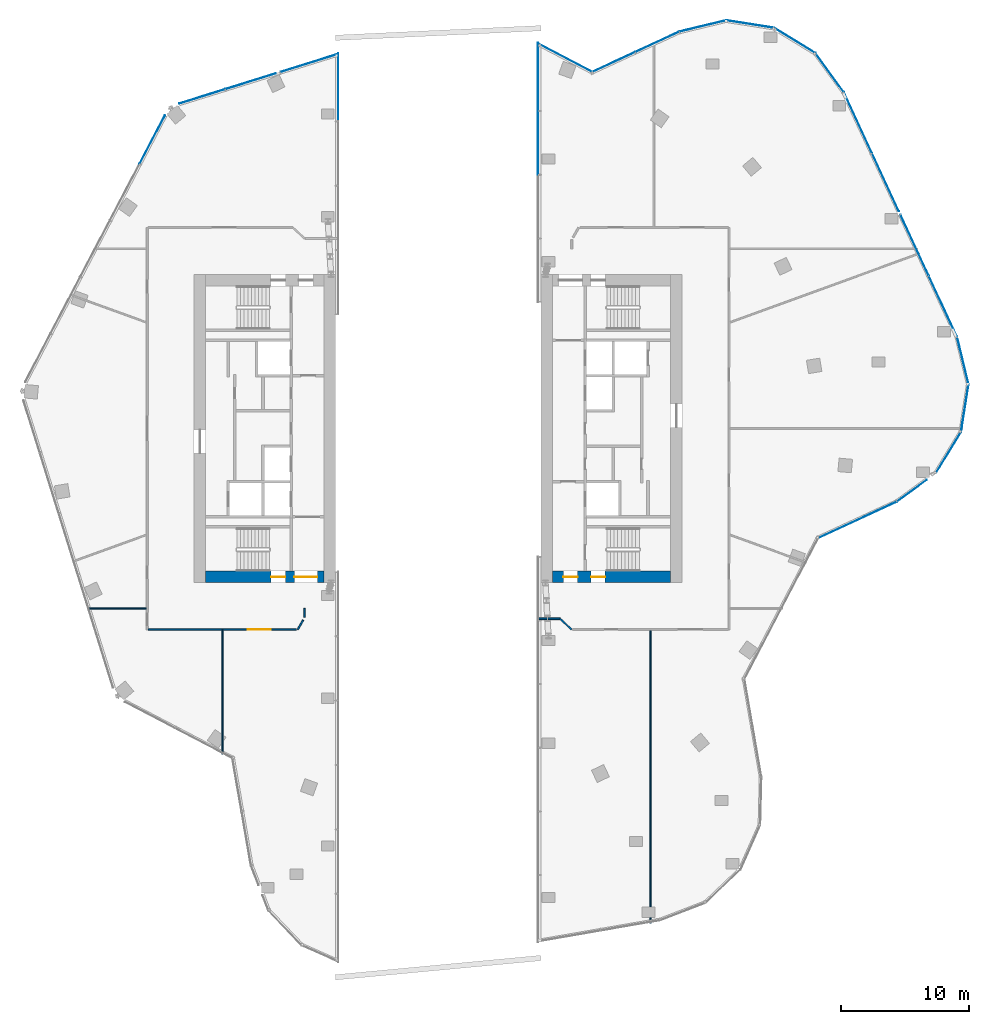
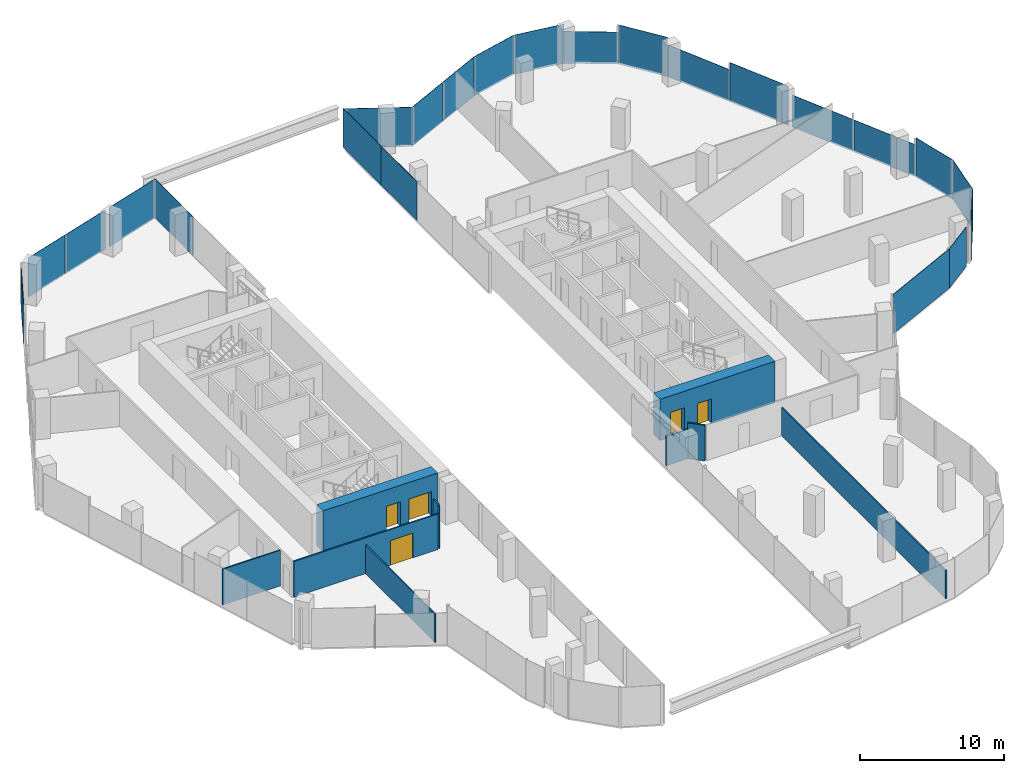
# One storey, part 19 of 24: 23 plates, 10 walls, 5 doors, 5 openings, 16 elements without a shape of their own.
"""IFC4 building model written with IfcOpenShell, lengths in metres."""

from ifc_helpers import new_model, si_unit, direction, frame, frame_2d, origin, origin_2d, place, context, subcontext, project, spatial, rectangle, extrude, material, layer, layer_set, type_object, element, fill, aggregate, save


model = new_model("IFC4")

# Units and contexts
model_context = context("Model", 3, precision=1e-05, world=origin(), true_north=direction((0.0, 1.0)))
body_context = subcontext(model_context, "Body", "Model", "MODEL_VIEW")
ifc_project = project(units=[si_unit("LENGTHUNIT", "METRE"), si_unit("AREAUNIT", "SQUARE_METRE"), si_unit("VOLUMEUNIT", "CUBIC_METRE"), si_unit("PLANEANGLEUNIT", "RADIAN"), si_unit("MASSUNIT", "GRAM", prefix="KILO")], contexts=[model_context])

# Site, building, storey
site_placement = place(None, origin())
site = spatial("IfcSite", under=ifc_project, at=site_placement, CompositionType="ELEMENT")
building_placement = place(site_placement, origin())
building = spatial("IfcBuilding", under=site, at=building_placement, Name="Orlundy Tower", CompositionType="ELEMENT")
storey_placement = place(building_placement, frame((0.0, 0.0, 267.5)))
storey = spatial("IfcBuildingStorey", under=building, at=storey_placement, Name="L71", CompositionType="ELEMENT", Elevation=267.5)

# Curtain wall, plate
ifc_material_1 = material(Name="Aluminium bronze anodised", Category="aluminium")
curtain_wall_type = type_object("IfcCurtainWallType", Name="CW1 wall", PredefinedType="NOTDEFINED", material=ifc_material_1)
curtain_wall_1_placement = place(storey_placement, origin())
curtain_wall_1 = element("IfcCurtainWall", 1, at=curtain_wall_1_placement, inside=storey, type_object=curtain_wall_type, Name="CW1 run 02", PredefinedType="NOTDEFINED")
ifc_material_2 = material(Name="Tinted glass", Category="glass")
ifc_layer_1 = layer(ifc_material_2, 0.031982421875)
ifc_layer_set_1 = layer_set([ifc_layer_1], Name="CW1 glass panel 32")
plate_type_1 = type_object("IfcPlateType", Name="CW1 glass panel 32", PredefinedType="CURTAIN_PANEL", material=ifc_layer_set_1)
plate_1_placement = place(storey_placement, frame((-22.259765625, 22.50390625, -0.280029296875), z_axis=(0.0, 0.0, 1.0), x_axis=(0.464336233904, 0.885658998646, 0.0)))
plate_1 = element("IfcPlate", 2, at=plate_1_placement, type_object=plate_type_1, Name="CW1 panel", PredefinedType="CURTAIN_PANEL", context=body_context, shape_type="SweptSolid", body=[
    extrude(rectangle(XDim=4.229248046875, YDim=0.031982421875, at=origin_2d()), origin(), (0.0, 0.0, 1.0), 3.330078125),
])
aggregate(curtain_wall_1, [plate_1])

# Curtain wall, plates
curtain_wall_2_placement = place(storey_placement, origin())
curtain_wall_2 = element("IfcCurtainWall", 3, at=curtain_wall_2_placement, inside=storey, type_object=curtain_wall_type, Name="CW1 run 03", PredefinedType="NOTDEFINED")
plate_2_placement = place(storey_placement, frame((-18.385009765625, 25.860595703125, -0.280029296875), z_axis=(0.0, 0.0, 1.0), x_axis=(0.954586077066, 0.297935263894, 0.0)))
plate_2 = element("IfcPlate", 4, at=plate_2_placement, type_object=plate_type_1, Name="CW1 panel", PredefinedType="CURTAIN_PANEL", context=body_context, shape_type="SweptSolid", body=[
    extrude(rectangle(XDim=3.727294921875, YDim=0.031982421875, at=origin_2d()), origin(), (0.0, 0.0, 1.0), 3.330078125),
])
plate_3_placement = place(storey_placement, frame((-14.598388671875, 27.042236328125, -0.280029296875), z_axis=(0.0, 0.0, 1.0), x_axis=(0.954586077066, 0.297935263894, 0.0)))
plate_3 = element("IfcPlate", 5, at=plate_3_placement, type_object=plate_type_1, Name="CW1 panel", PredefinedType="CURTAIN_PANEL", context=body_context, shape_type="SweptSolid", body=[
    extrude(rectangle(XDim=4.106201171875, YDim=0.031982421875, at=origin_2d()), origin(), (0.0, 0.0, 1.0), 3.330078125),
])

curtain_wall_3_placement = place(storey_placement, origin())
curtain_wall_3 = element("IfcCurtainWall", 6, at=curtain_wall_3_placement, inside=storey, type_object=curtain_wall_type, Name="CW1 run 10", PredefinedType="NOTDEFINED")
plate_4_placement = place(storey_placement, frame((13.65625, 28.538330078125, -0.280029296875), z_axis=(0.0, 0.0, 1.0), x_axis=(0.907535327513, 0.419975748486, 0.0)))
plate_4 = element("IfcPlate", 7, at=plate_4_placement, type_object=plate_type_1, Name="CW1 panel", PredefinedType="CURTAIN_PANEL", context=body_context, shape_type="SweptSolid", body=[
    extrude(rectangle(XDim=3.659912109375, YDim=0.031982421875, at=origin_2d()), origin(), (0.0, 0.0, 1.0), 3.330078125),
])
plate_5_placement = place(storey_placement, frame((17.0556640625, 30.111328125, -0.280029296875), z_axis=(0.0, 0.0, 1.0), x_axis=(0.907535327513, 0.419975748486, 0.0)))
plate_5 = element("IfcPlate", 8, at=plate_5_placement, type_object=plate_type_1, Name="CW1 panel", PredefinedType="CURTAIN_PANEL", context=body_context, shape_type="SweptSolid", body=[
    extrude(rectangle(XDim=3.731689453125, YDim=0.031982421875, at=origin_2d()), origin(), (0.0, 0.0, 1.0), 3.330078125),
])
aggregate(curtain_wall_3, [plate_4, plate_5])

# Curtain wall, plate
curtain_wall_4_placement = place(storey_placement, origin())
curtain_wall_4 = element("IfcCurtainWall", 9, at=curtain_wall_4_placement, inside=storey, type_object=curtain_wall_type, Name="CW1 run 11", PredefinedType="NOTDEFINED")
plate_6_placement = place(storey_placement, frame((20.609130859375, 31.349853515625, -0.280029296875), z_axis=(0.0, 0.0, 1.0), x_axis=(0.972001521614, 0.234974556025, 0.0)))
plate_6 = element("IfcPlate", 10, at=plate_6_placement, type_object=plate_type_1, Name="CW1 panel", PredefinedType="CURTAIN_PANEL", context=body_context, shape_type="SweptSolid", body=[
    extrude(rectangle(XDim=3.73046875, YDim=0.031982421875, at=origin_2d()), origin(), (0.0, 0.0, 1.0), 3.330078125),
])
aggregate(curtain_wall_4, [plate_6])

curtain_wall_5_placement = place(storey_placement, origin())
curtain_wall_5 = element("IfcCurtainWall", 11, at=curtain_wall_5_placement, inside=storey, type_object=curtain_wall_type, Name="CW1 run 12", PredefinedType="NOTDEFINED")
plate_7_placement = place(storey_placement, frame((24.285400390625, 31.49560546875, -0.280029296875), z_axis=(0.0, 0.0, 1.0), x_axis=(0.987896030416, -0.15511748157, 0.0)))
plate_7 = element("IfcPlate", 12, at=plate_7_placement, type_object=plate_type_1, Name="CW1 panel", PredefinedType="CURTAIN_PANEL", context=body_context, shape_type="SweptSolid", body=[
    extrude(rectangle(XDim=3.772216796875, YDim=0.031982421875, at=origin_2d()), origin(), (0.0, 0.0, 1.0), 3.330078125),
])
aggregate(curtain_wall_5, [plate_7])

curtain_wall_6_placement = place(storey_placement, origin())
curtain_wall_6 = element("IfcCurtainWall", 13, at=curtain_wall_6_placement, inside=storey, type_object=curtain_wall_type, Name="CW1 run 13", PredefinedType="NOTDEFINED")
plate_8_placement = place(storey_placement, frame((27.758544921875, 30.219970703125, -0.280029296875), z_axis=(0.0, 0.0, 1.0), x_axis=(0.853468477843, -0.521144468768, 0.0)))
plate_8 = element("IfcPlate", 14, at=plate_8_placement, type_object=plate_type_1, Name="CW1 panel", PredefinedType="CURTAIN_PANEL", context=body_context, shape_type="SweptSolid", body=[
    extrude(rectangle(XDim=3.7724609375, YDim=0.031982421875, at=origin_2d()), origin(), (0.0, 0.0, 1.0), 2.7138671875),
])
aggregate(curtain_wall_6, [plate_8])

curtain_wall_7_placement = place(storey_placement, origin())
curtain_wall_7 = element("IfcCurtainWall", 15, at=curtain_wall_7_placement, inside=storey, type_object=curtain_wall_type, Name="CW1 run 14", PredefinedType="NOTDEFINED")
plate_9_placement = place(storey_placement, frame((30.466796875, 27.7294921875, -0.280029296875), z_axis=(0.0, 0.0, 1.0), x_axis=(0.588893262489, -0.80821081742, 0.0)))
plate_9 = element("IfcPlate", 16, at=plate_9_placement, type_object=plate_type_1, Name="CW1 panel", PredefinedType="CURTAIN_PANEL", context=body_context, shape_type="SweptSolid", body=[
    extrude(rectangle(XDim=3.730712890625, YDim=0.031982421875, at=origin_2d()), origin(), (0.0, 0.0, 1.0), 3.330078125),
])
aggregate(curtain_wall_7, [plate_9])

# Curtain wall, plates
curtain_wall_8_placement = place(storey_placement, origin())
curtain_wall_8 = element("IfcCurtainWall", 17, at=curtain_wall_8_placement, inside=storey, type_object=curtain_wall_type, Name="CW1 run 15", PredefinedType="NOTDEFINED")
plate_10_placement = place(storey_placement, frame((32.685791015625, 23.81201171875, -0.280029296875), z_axis=(0.0, 0.0, 1.0), x_axis=(0.419960892154, -0.907542202358, 0.0)))
plate_10 = element("IfcPlate", 18, at=plate_10_placement, type_object=plate_type_1, Name="CW1 panel", PredefinedType="CURTAIN_PANEL", context=body_context, shape_type="SweptSolid", body=[
    extrude(rectangle(XDim=5.2158203125, YDim=0.031982421875, at=origin_2d()), origin(), (0.0, 0.0, 1.0), 2.7138671875),
])
plate_11_placement = place(storey_placement, frame((34.834716796875, 19.16845703125, -0.280029296875), z_axis=(0.0, 0.0, 1.0), x_axis=(0.419960892154, -0.907542202358, 0.0)))
plate_11 = element("IfcPlate", 19, at=plate_11_placement, type_object=plate_type_1, Name="CW1 panel", PredefinedType="CURTAIN_PANEL", context=body_context, shape_type="SweptSolid", body=[
    extrude(rectangle(XDim=4.917236328125, YDim=0.031982421875, at=origin_2d()), origin(), (0.0, 0.0, 1.0), 3.330078125),
])
plate_12_placement = place(storey_placement, frame((37.0986328125, 14.275634765625, -0.280029296875), z_axis=(0.0, 0.0, 1.0), x_axis=(0.419960892154, -0.907542202358, 0.0)))
plate_12 = element("IfcPlate", 20, at=plate_12_placement, type_object=plate_type_1, Name="CW1 panel", PredefinedType="CURTAIN_PANEL", context=body_context, shape_type="SweptSolid", body=[
    extrude(rectangle(XDim=5.199951171875, YDim=0.031982421875, at=origin_2d()), origin(), (0.0, 0.0, 1.0), 2.7138671875),
])
plate_13_placement = place(storey_placement, frame((39.306884765625, 9.50390625, -0.280029296875), z_axis=(0.0, 0.0, 1.0), x_axis=(0.419960892154, -0.907542202358, 0.0)))
plate_13 = element("IfcPlate", 21, at=plate_13_placement, type_object=plate_type_1, Name="CW1 panel", PredefinedType="CURTAIN_PANEL", context=body_context, shape_type="SweptSolid", body=[
    extrude(rectangle(XDim=5.2158203125, YDim=0.031982421875, at=origin_2d()), origin(), (0.0, 0.0, 1.0), 2.7138671875),
])
aggregate(curtain_wall_8, [plate_10, plate_11, plate_12, plate_13])

# Curtain wall, plate
curtain_wall_9_placement = place(storey_placement, origin())
curtain_wall_9 = element("IfcCurtainWall", 22, at=curtain_wall_9_placement, inside=storey, type_object=curtain_wall_type, Name="CW1 run 16", PredefinedType="NOTDEFINED")
plate_14_placement = place(storey_placement, frame((40.856689453125, 5.27685546875, -0.280029296875), z_axis=(0.0, 0.0, 1.0), x_axis=(0.234974556025, -0.972001521614, 0.0)))
plate_14 = element("IfcPlate", 23, at=plate_14_placement, type_object=plate_type_1, Name="CW1 panel", PredefinedType="CURTAIN_PANEL", context=body_context, shape_type="SweptSolid", body=[
    extrude(rectangle(XDim=3.73046875, YDim=0.031982421875, at=origin_2d()), origin(), (0.0, 0.0, 1.0), 3.330078125),
])
aggregate(curtain_wall_9, [plate_14])

curtain_wall_10_placement = place(storey_placement, origin())
curtain_wall_10 = element("IfcCurtainWall", 24, at=curtain_wall_10_placement, inside=storey, type_object=curtain_wall_type, Name="CW1 run 17", PredefinedType="NOTDEFINED")
plate_15_placement = place(storey_placement, frame((41.00244140625, 1.6005859375, -0.280029296875), z_axis=(0.0, 0.0, 1.0), x_axis=(-0.15511748157, -0.987896030416, 0.0)))
plate_15 = element("IfcPlate", 25, at=plate_15_placement, type_object=plate_type_1, Name="CW1 panel", PredefinedType="CURTAIN_PANEL", context=body_context, shape_type="SweptSolid", body=[
    extrude(rectangle(XDim=3.772216796875, YDim=0.031982421875, at=origin_2d()), origin(), (0.0, 0.0, 1.0), 3.330078125),
])
aggregate(curtain_wall_10, [plate_15])

curtain_wall_11_placement = place(storey_placement, origin())
curtain_wall_11 = element("IfcCurtainWall", 26, at=curtain_wall_11_placement, inside=storey, type_object=curtain_wall_type, Name="CW1 run 18", PredefinedType="NOTDEFINED")
plate_16_placement = place(storey_placement, frame((39.72705078125, -1.8720703125, -0.280029296875), z_axis=(0.0, 0.0, 1.0), x_axis=(-0.521264467859, -0.85339519248, 0.0)))
plate_16 = element("IfcPlate", 27, at=plate_16_placement, type_object=plate_type_1, Name="CW1 panel", PredefinedType="CURTAIN_PANEL", context=body_context, shape_type="SweptSolid", body=[
    extrude(rectangle(XDim=3.771484375, YDim=0.031982421875, at=origin_2d()), origin(), (0.0, 0.0, 1.0), 3.330078125),
])
aggregate(curtain_wall_11, [plate_16])

curtain_wall_12_placement = place(storey_placement, origin())
curtain_wall_12 = element("IfcCurtainWall", 28, at=curtain_wall_12_placement, inside=storey, type_object=curtain_wall_type, Name="CW1 run 19", PredefinedType="NOTDEFINED")
plate_17_placement = place(storey_placement, frame((36.887939453125, -4.834228515625, -0.280029296875), z_axis=(0.0, 0.0, 1.0), x_axis=(-0.808117234179, -0.58902167687, 0.0)))
plate_17 = element("IfcPlate", 29, at=plate_17_placement, type_object=plate_type_1, Name="CW1 panel", PredefinedType="CURTAIN_PANEL", context=body_context, shape_type="SweptSolid", body=[
    extrude(rectangle(XDim=2.8662109375, YDim=0.031982421875, at=origin_2d()), origin(), (0.0, 0.0, 1.0), 3.330078125),
])
aggregate(curtain_wall_12, [plate_17])

curtain_wall_13_placement = place(storey_placement, origin())
curtain_wall_13 = element("IfcCurtainWall", 30, at=curtain_wall_13_placement, inside=storey, type_object=curtain_wall_type, Name="CW1 run 110", PredefinedType="NOTDEFINED")
plate_18_placement = place(storey_placement, frame((32.637451171875, -7.114501953125, -0.280029296875), z_axis=(0.0, 0.0, 1.0), x_axis=(-0.907549103061, -0.419945979305, 0.0)))
plate_18 = element("IfcPlate", 31, at=plate_18_placement, type_object=plate_type_1, Name="CW1 panel", PredefinedType="CURTAIN_PANEL", context=body_context, shape_type="SweptSolid", body=[
    extrude(rectangle(XDim=6.719482421875, YDim=0.031982421875, at=origin_2d()), origin(), (0.0, 0.0, 1.0), 3.330078125),
])
aggregate(curtain_wall_13, [plate_18])

# Plate
ifc_material_3 = material(Name="Bronze aluminium spandrel", Category="aluminium")
ifc_layer_2 = layer(ifc_material_3, 0.031982421875)
ifc_layer_set_2 = layer_set([ifc_layer_2], Name="CW1 spandrel panel 32")
plate_type_2 = type_object("IfcPlateType", Name="CW1 spandrel panel 32", PredefinedType="CURTAIN_PANEL", material=ifc_layer_set_2)
plate_19_placement = place(storey_placement, frame((-10.0498046875, 28.4619140625, -0.280029296875), z_axis=(0.0, 0.0, 1.0), x_axis=(0.954586077066, 0.297935263894, 0.0)))
plate_19 = element("IfcPlate", 32, at=plate_19_placement, type_object=plate_type_2, Name="CW1 panel", PredefinedType="CURTAIN_PANEL", context=body_context, shape_type="SweptSolid", body=[
    extrude(rectangle(XDim=4.638427734375, YDim=0.031982421875, at=origin_2d()), origin(), (0.0, 0.0, 1.0), 3.330078125),
])

aggregate(curtain_wall_2, [plate_2, plate_3, plate_19])

# Curtain wall, plate
curtain_wall_14_placement = place(storey_placement, origin())
curtain_wall_14 = element("IfcCurtainWall", 33, at=curtain_wall_14_placement, inside=storey, type_object=curtain_wall_type, Name="CW1 run 119", PredefinedType="NOTDEFINED")
plate_20_placement = place(storey_placement, frame((9.915771484375, 28.85986328125, -0.280029296875), z_axis=(0.0, 0.0, 1.0), x_axis=(0.885696843305, -0.464264043147, 0.0)))
plate_20 = element("IfcPlate", 34, at=plate_20_placement, type_object=plate_type_2, Name="CW1 panel", PredefinedType="CURTAIN_PANEL", context=body_context, shape_type="SweptSolid", body=[
    extrude(rectangle(XDim=4.6962890625, YDim=0.031982421875, at=origin_2d()), origin(), (0.0, 0.0, 1.0), 3.330078125),
])
aggregate(curtain_wall_14, [plate_20])

curtain_wall_15_placement = place(storey_placement, origin())
curtain_wall_15 = element("IfcCurtainWall", 35, at=curtain_wall_15_placement, inside=storey, type_object=curtain_wall_type, Name="CW1 run 118", PredefinedType="NOTDEFINED")
ifc_material_4 = material(Name="Tinted glass", Category="glass")
ifc_layer_3 = layer(ifc_material_4, 0.035888671875)
ifc_layer_set_3 = layer_set([ifc_layer_3], Name="CW6 glass panel 36")
plate_type_3 = type_object("IfcPlateType", Name="CW6 glass panel 36", PredefinedType="CURTAIN_PANEL", material=ifc_layer_set_3)
plate_21_placement = place(storey_placement, frame((7.778076171875, 22.24365234375, -0.239990234375), z_axis=(0.0, 0.0, 1.0), x_axis=(0.0, 1.0, 0.0)))
plate_21 = element("IfcPlate", 36, at=plate_21_placement, type_object=plate_type_3, Name="CW6 panel", PredefinedType="CURTAIN_PANEL", context=body_context, shape_type="SweptSolid", body=[
    extrude(rectangle(XDim=4.956787109375, YDim=0.035888671875, at=origin_2d()), origin(), (0.0, 0.0, 1.0), 3.2900390625),
])

curtain_wall_16_placement = place(storey_placement, origin())
curtain_wall_16 = element("IfcCurtainWall", 37, at=curtain_wall_16_placement, inside=storey, type_object=curtain_wall_type, Name="CW1 run 04", PredefinedType="NOTDEFINED")
ifc_material_5 = material(Name="Bronze aluminium spandrel", Category="aluminium")
ifc_layer_4 = layer(ifc_material_5, 0.035888671875)
ifc_layer_set_4 = layer_set([ifc_layer_4], Name="CW6 spandrel panel 36")
plate_type_4 = type_object("IfcPlateType", Name="CW6 spandrel panel 36", PredefinedType="CURTAIN_PANEL", material=ifc_layer_set_4)
plate_22_placement = place(storey_placement, frame((-7.778076171875, 26.575439453125, -0.239990234375), z_axis=(0.0, 0.0, 1.0), x_axis=(0.0, -1.0, 0.0)))
plate_22 = element("IfcPlate", 38, at=plate_22_placement, type_object=plate_type_4, Name="CW6 panel", PredefinedType="CURTAIN_PANEL", context=body_context, shape_type="SweptSolid", body=[
    extrude(rectangle(XDim=5.312744140625, YDim=0.035888671875, at=origin_2d()), origin(), (0.0, 0.0, 1.0), 3.2900390625),
])
aggregate(curtain_wall_16, [plate_22])

# Plate
plate_23_placement = place(storey_placement, frame((7.778076171875, 27.384033203125, -0.239990234375), z_axis=(0.0, 0.0, 1.0), x_axis=(0.0, 1.0, 0.0)))
plate_23 = element("IfcPlate", 39, at=plate_23_placement, type_object=plate_type_4, Name="CW6 panel", PredefinedType="CURTAIN_PANEL", context=body_context, shape_type="SweptSolid", body=[
    extrude(rectangle(XDim=5.323974609375, YDim=0.035888671875, at=origin_2d()), origin(), (0.0, 0.0, 1.0), 3.2900390625),
])

aggregate(curtain_wall_15, [plate_21, plate_23])

# Wall, openings, doors
ifc_material_6 = material(Name="Concrete C60/75", Category="concrete")
ifc_layer_5 = layer(ifc_material_6, 0.89990234375)
ifc_layer_set_5 = layer_set([ifc_layer_5], Name="CORE WALL 900 C60/75")
wall_type_1 = type_object("IfcWallType", Name="CORE WALL 900 C60/75", PredefinedType="SHEAR", material=ifc_layer_set_5)
wall_1_placement = place(storey_placement, frame((-18.10009765625, -11.550048828125, 0.0), z_axis=(0.0, 0.0, 1.0), x_axis=(1.0, 0.0, 0.0)))
wall_1 = element("IfcWall", 40, at=wall_1_placement, inside=storey, type_object=wall_type_1, Name="Core wall W-S L71", PredefinedType="SHEAR", context=body_context, shape_type="SweptSolid", body=[
    extrude(rectangle(XDim=9.2001953125, YDim=0.89990234375, at=frame_2d((4.60009765625, 0.0))), origin(), (0.0, 0.0, 1.0), 3.5),
])
opening_1_placement = place(wall_1_placement, frame((6.89990234375, 0.0, 0.0)))
opening_1 = element("IfcOpeningElement", 41, at=opening_1_placement, cuts=wall_1, Name="Opening 53012", PredefinedType="OPENING", context=body_context, shape_type="SweptSolid", body=[
    extrude(rectangle(XDim=1.800048828125, YDim=2.10009765625, at=frame_2d((0.89990234375, 1.050048828125))), frame((0.0, 0.4599609375, 0.0), z_axis=(0.0, -1.0, 0.0), x_axis=(1.0, 0.0, 0.0)), (0.0, 0.0, 1.0), 0.919921875),
])
opening_2_placement = place(wall_1_placement, frame((5.10009765625, 0.0, 0.0)))
opening_2 = element("IfcOpeningElement", 42, at=opening_2_placement, cuts=wall_1, Name="Opening 53014", PredefinedType="OPENING", context=body_context, shape_type="SweptSolid", body=[
    extrude(rectangle(XDim=1.10009765625, YDim=2.10009765625, at=frame_2d((0.550048828125, 1.050048828125))), frame((0.0, 0.4599609375, 0.0), z_axis=(0.0, -1.0, 0.0), x_axis=(1.0, 0.0, 0.0)), (0.0, 0.0, 1.0), 0.919921875),
])
ifc_material_7 = material(Name="Timber door set", Category="wood")
door_type_1 = type_object("IfcDoorType", Name="Lobby Door 1800x2100", OperationType="DOUBLE_DOOR_DOUBLE_SWING", PredefinedType="DOOR", material=ifc_material_7)
door_1_placement = place(opening_1_placement, origin())
door_1 = element("IfcDoor", 43, at=door_1_placement, inside=storey, type_object=door_type_1, Name="Passage door 53012", OperationType="SINGLE_SWING_RIGHT", OverallHeight=2.10009765625, OverallWidth=1.800048828125, PredefinedType="DOOR", context=body_context, shape_type="SweptSolid", body=[
    extrude(rectangle(XDim=1.800048828125, YDim=2.10009765625, at=frame_2d((0.89990234375, 1.050048828125))), frame((0.0, 0.02490234375, 0.0), z_axis=(0.0, -1.0, 0.0), x_axis=(1.0, 0.0, 0.0)), (0.0, 0.0, 1.0), 0.050048828125),
])
fill(opening_1, door_1)
ifc_material_8 = material(Name="Steel door set", Category="steel")
door_type_2 = type_object("IfcDoorType", Name="Stair Door 1100x2100", OperationType="SINGLE_SWING_LEFT", PredefinedType="DOOR", material=ifc_material_8)
door_2_placement = place(opening_2_placement, origin())
door_2 = element("IfcDoor", 44, at=door_2_placement, inside=storey, type_object=door_type_2, Name="Stair door 53014", OperationType="SINGLE_SWING_RIGHT", OverallHeight=2.10009765625, OverallWidth=1.10009765625, PredefinedType="DOOR", context=body_context, shape_type="SweptSolid", body=[
    extrude(rectangle(XDim=1.10009765625, YDim=2.10009765625, at=frame_2d((0.550048828125, 1.050048828125))), frame((0.0, 0.02490234375, 0.0), z_axis=(0.0, -1.0, 0.0), x_axis=(1.0, 0.0, 0.0)), (0.0, 0.0, 1.0), 0.050048828125),
])
fill(opening_2, door_2)

wall_2_placement = place(storey_placement, frame((8.89990234375, -11.550048828125, 0.0), z_axis=(0.0, 0.0, 1.0), x_axis=(1.0, 0.0, 0.0)))
wall_2 = element("IfcWall", 45, at=wall_2_placement, inside=storey, type_object=wall_type_1, Name="Core wall E-S L71", PredefinedType="SHEAR", context=body_context, shape_type="SweptSolid", body=[
    extrude(rectangle(XDim=9.2001953125, YDim=0.89990234375, at=frame_2d((4.60009765625, 0.0))), origin(), (0.0, 0.0, 1.0), 3.5),
])
opening_3_placement = place(wall_2_placement, frame((0.85009765625, 0.0, 0.0)))
opening_3 = element("IfcOpeningElement", 46, at=opening_3_placement, cuts=wall_2, Name="Opening 53058", PredefinedType="OPENING", context=body_context, shape_type="SweptSolid", body=[
    extrude(rectangle(XDim=1.10009765625, YDim=2.10009765625, at=frame_2d((0.550048828125, 1.050048828125))), frame((0.0, 0.4599609375, 0.0), z_axis=(0.0, -1.0, 0.0), x_axis=(1.0, 0.0, 0.0)), (0.0, 0.0, 1.0), 0.919921875),
])
opening_4_placement = place(wall_2_placement, frame((3.0, 0.0, 0.0)))
opening_4 = element("IfcOpeningElement", 47, at=opening_4_placement, cuts=wall_2, Name="Opening 53062", PredefinedType="OPENING", context=body_context, shape_type="SweptSolid", body=[
    extrude(rectangle(XDim=1.10009765625, YDim=2.10009765625, at=frame_2d((0.550048828125, 1.050048828125))), frame((0.0, 0.4599609375, 0.0), z_axis=(0.0, -1.0, 0.0), x_axis=(1.0, 0.0, 0.0)), (0.0, 0.0, 1.0), 0.919921875),
])
ifc_material_9 = material(Name="Steel door set", Category="steel")
door_type_3 = type_object("IfcDoorType", Name="Fire-fighting Lobby Door 1100x2100", OperationType="SINGLE_SWING_LEFT", PredefinedType="DOOR", material=ifc_material_9)
door_3_placement = place(opening_3_placement, origin())
door_3 = element("IfcDoor", 48, at=door_3_placement, inside=storey, type_object=door_type_3, Name="Fire-fighting lobby door 53058", OperationType="SINGLE_SWING_LEFT", OverallHeight=2.10009765625, OverallWidth=1.10009765625, PredefinedType="DOOR", context=body_context, shape_type="SweptSolid", body=[
    extrude(rectangle(XDim=1.10009765625, YDim=2.10009765625, at=frame_2d((0.550048828125, 1.050048828125))), frame((0.0, 0.02490234375, 0.0), z_axis=(0.0, -1.0, 0.0), x_axis=(1.0, 0.0, 0.0)), (0.0, 0.0, 1.0), 0.050048828125),
])
fill(opening_3, door_3)
door_4_placement = place(opening_4_placement, origin())
door_4 = element("IfcDoor", 49, at=door_4_placement, inside=storey, type_object=door_type_2, Name="Stair door 53062", OperationType="SINGLE_SWING_LEFT", OverallHeight=2.10009765625, OverallWidth=1.10009765625, PredefinedType="DOOR", context=body_context, shape_type="SweptSolid", body=[
    extrude(rectangle(XDim=1.10009765625, YDim=2.10009765625, at=frame_2d((0.550048828125, 1.050048828125))), frame((0.0, 0.02490234375, 0.0), z_axis=(0.0, -1.0, 0.0), x_axis=(1.0, 0.0, 0.0)), (0.0, 0.0, 1.0), 0.050048828125),
])
fill(opening_4, door_4)

# Walls
ifc_material_10 = material(Name="Gypsum board partition")
ifc_layer_6 = layer(ifc_material_10, 0.10009765625)
ifc_layer_set_6 = layer_set([ifc_layer_6], Name="Floor partition 100")
wall_type_2 = type_object("IfcWallType", Name="Floor partition 100", PredefinedType="PARTITIONING", material=ifc_layer_set_6)
wall_3_placement = place(storey_placement, frame((-27.320068359375, -14.0, 0.0), z_axis=(0.0, 0.0, 1.0), x_axis=(1.0, 0.0, 0.0)))
element("IfcWall", 50, at=wall_3_placement, inside=storey, type_object=wall_type_2, Name="wall-int-L71-006", PredefinedType="PARTITIONING", context=body_context, shape_type="SweptSolid", body=[
    extrude(rectangle(XDim=4.608154296875, YDim=0.10009765625, at=frame_2d((2.30419921875, 0.0))), origin(), (0.0, 0.0, 1.0), 3.030029296875),
])
ifc_material_11 = material(Name="Gypsum board partition")
ifc_layer_7 = layer(ifc_material_11, 0.10009765625)
ifc_layer_set_7 = layer_set([ifc_layer_7], Name="Floor partition 100 B")
wall_type_3 = type_object("IfcWallType", Name="Floor partition 100 B", PredefinedType="PARTITIONING", material=ifc_layer_set_7)
wall_4_placement = place(storey_placement, frame((16.52587890625, -38.492919921875, 0.0), z_axis=(0.0, 0.0, 1.0), x_axis=(0.0, 1.0, 0.0)))
element("IfcWall", 51, at=wall_4_placement, inside=storey, type_object=wall_type_3, Name="wall-int-L71-020", PredefinedType="PARTITIONING", context=body_context, shape_type="SweptSolid", body=[
    extrude(rectangle(XDim=22.780029296875, YDim=0.10009765625, at=frame_2d((11.39013671875, 0.0))), origin(), (0.0, 0.0, 1.0), 2.4189453125),
])
wall_5_placement = place(storey_placement, frame((-16.7939453125, -25.35009765625, 0.0), z_axis=(0.0, 0.0, 1.0), x_axis=(0.0, 1.0, 0.0)))
element("IfcWall", 52, at=wall_5_placement, inside=storey, type_object=wall_type_3, Name="wall-int-L71-025", PredefinedType="PARTITIONING", context=body_context, shape_type="SweptSolid", body=[
    extrude(rectangle(XDim=9.63720703125, YDim=0.10009765625, at=frame_2d((4.818603515625, 0.0))), origin(), (0.0, 0.0, 1.0), 2.4189453125),
])

# Wall, opening, door
ifc_material_12 = material(Name="Gypsum board partition, double layer")
ifc_layer_8 = layer(ifc_material_12, 0.125)
ifc_layer_set_8 = layer_set([ifc_layer_8], Name="Floor partition 125")
wall_type_4 = type_object("IfcWallType", Name="Floor partition 125", PredefinedType="PARTITIONING", material=ifc_layer_set_8)
wall_6_placement = place(storey_placement, frame((-11.047119140625, -15.65087890625, 0.0), z_axis=(0.0, 0.0, 1.0), x_axis=(-1.0, 0.0, 0.0)))
wall_6 = element("IfcWall", 53, at=wall_6_placement, inside=storey, type_object=wall_type_4, Name="wall-int-L71-003", PredefinedType="PARTITIONING", context=body_context, shape_type="SweptSolid", body=[
    extrude(rectangle(XDim=11.539794921875, YDim=0.125, at=frame_2d((5.77001953125, 0.0))), origin(), (0.0, 0.0, 1.0), 3.030029296875),
])
opening_5_placement = place(wall_6_placement, frame((1.99169921875, 0.0, 0.0)))
opening_5 = element("IfcOpeningElement", 54, at=opening_5_placement, cuts=wall_6, Name="Opening 53102", PredefinedType="OPENING", context=body_context, shape_type="SweptSolid", body=[
    extrude(rectangle(XDim=1.800048828125, YDim=2.10009765625, at=frame_2d((0.89990234375, 1.050048828125))), frame((0.0, 0.072509765625, 0.0), z_axis=(0.0, -1.0, 0.0), x_axis=(1.0, 0.0, 0.0)), (0.0, 0.0, 1.0), 0.14501953125),
])
ifc_material_13 = material(Name="Timber door leaf", Category="wood")
door_type_4 = type_object("IfcDoorType", Name="Floor door double 1800 FD30S", OperationType="NOTDEFINED", PredefinedType="DOOR", material=ifc_material_13)
door_5_placement = place(opening_5_placement, origin())
door_5 = element("IfcDoor", 55, at=door_5_placement, inside=storey, type_object=door_type_4, Name="Door 53102", OperationType="DOUBLE_DOOR_SINGLE_SWING", OverallHeight=2.10009765625, OverallWidth=1.800048828125, PredefinedType="DOOR", context=body_context, shape_type="SweptSolid", body=[
    extrude(rectangle(XDim=1.800048828125, YDim=2.10009765625, at=frame_2d((0.89990234375, 1.050048828125))), frame((0.0, 0.02490234375, 0.0), z_axis=(0.0, -1.0, 0.0), x_axis=(1.0, 0.0, 0.0)), (0.0, 0.0, 1.0), 0.050048828125),
])
fill(opening_5, door_5)

# Walls
wall_7_placement = place(storey_placement, frame((-10.93408203125, -15.635009765625, 0.0), z_axis=(0.0, 0.0, 1.0), x_axis=(0.500820310379, 0.865551279077, 0.0)))
element("IfcWall", 56, at=wall_7_placement, inside=storey, type_object=wall_type_4, Name="wall-int-L71-017", PredefinedType="PARTITIONING", context=body_context, shape_type="SweptSolid", body=[
    extrude(rectangle(XDim=0.8466796875, YDim=0.125, at=frame_2d((0.42333984375, 0.0))), origin(), (0.0, 0.0, 1.0), 3.030029296875),
])
wall_8_placement = place(storey_placement, frame((10.39990234375, -15.65087890625, 0.0), z_axis=(0.0, 0.0, 1.0), x_axis=(-0.731543572148, 0.681794692007, 0.0)))
element("IfcWall", 57, at=wall_8_placement, inside=storey, type_object=wall_type_4, Name="wall-int-L71-021", PredefinedType="PARTITIONING", context=body_context, shape_type="SweptSolid", body=[
    extrude(rectangle(XDim=1.24658203125, YDim=0.125, at=frame_2d((0.623291015625, 0.0))), origin(), (0.0, 0.0, 1.0), 3.030029296875),
])
wall_9_placement = place(storey_placement, frame((-10.39892578125, -14.698974609375, 0.0), z_axis=(0.0, 0.0, 1.0), x_axis=(0.0, 1.0, 0.0)))
element("IfcWall", 58, at=wall_9_placement, inside=storey, type_object=wall_type_4, Name="wall-int-L71-023", PredefinedType="PARTITIONING", context=body_context, shape_type="SweptSolid", body=[
    extrude(rectangle(XDim=0.698974609375, YDim=0.125, at=frame_2d((0.349609375, 0.0))), origin(), (0.0, 0.0, 1.0), 3.030029296875),
])
ifc_material_14 = material(Name="Gypsum board partition, double layer")
ifc_layer_9 = layer(ifc_material_14, 0.125)
ifc_layer_set_9 = layer_set([ifc_layer_9], Name="Floor partition 125 B")
wall_type_5 = type_object("IfcWallType", Name="Floor partition 125 B", PredefinedType="PARTITIONING", material=ifc_layer_set_9)
wall_10_placement = place(storey_placement, frame((7.75, -14.801025390625, 0.0), z_axis=(0.0, 0.0, 1.0), x_axis=(1.0, 0.0, 0.0)))
element("IfcWall", 59, at=wall_10_placement, inside=storey, type_object=wall_type_5, Name="wall-int-L71-005", PredefinedType="PARTITIONING", context=body_context, shape_type="SweptSolid", body=[
    extrude(rectangle(XDim=1.738037109375, YDim=0.125, at=frame_2d((0.869140625, 0.0))), origin(), (0.0, 0.0, 1.0), 2.496337890625),
])

save(model, "model.ifc")
